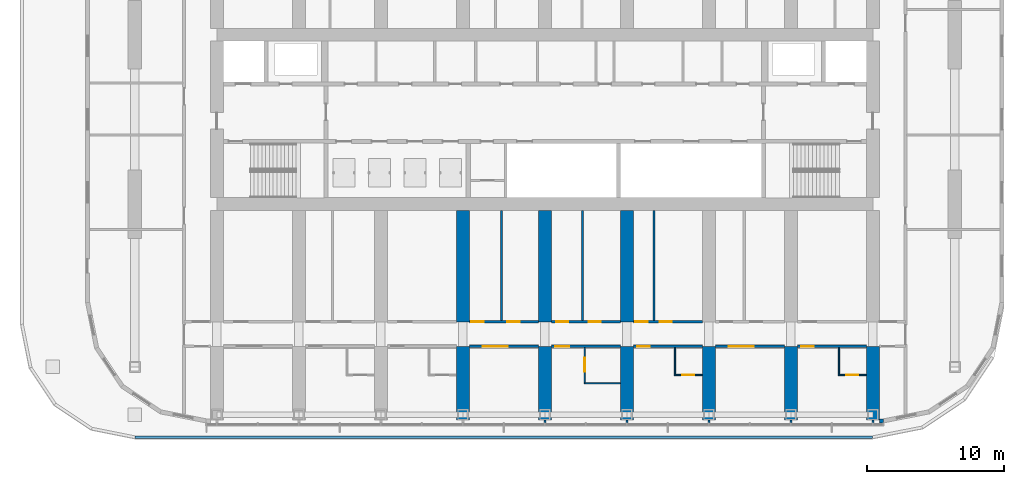
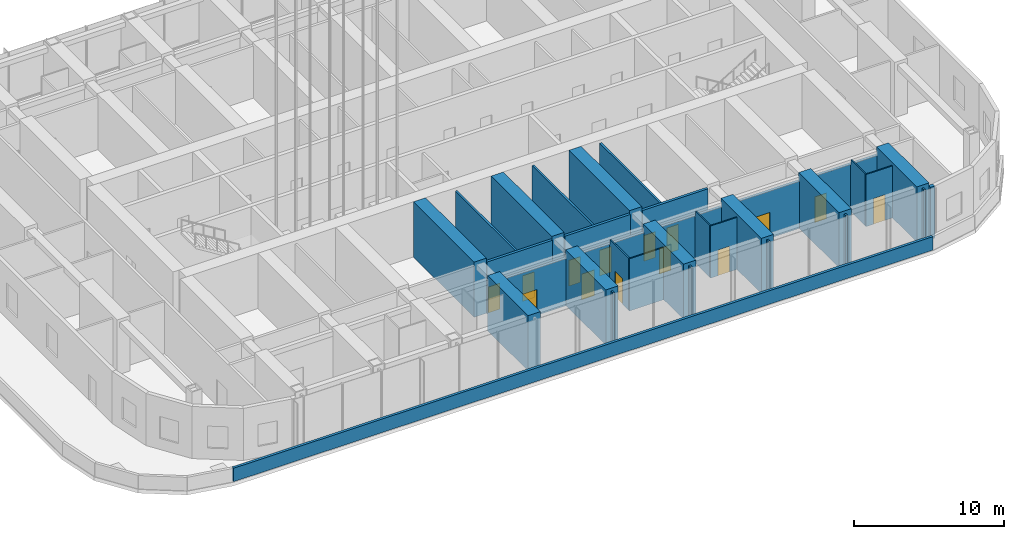
# One storey, part 12 of 32: 33 walls, 14 doors, 14 openings.
"""IFC4 building model written with IfcOpenShell, lengths in metres."""

from ifc_helpers import new_model, si_unit, direction, frame, frame_2d, origin, place, context, subcontext, project, spatial, polyline, rectangle, outline, extrude, material, layer, layer_set, type_object, element, fill, save


model = new_model("IFC4")

# Units and contexts
model_context = context("Model", 3, precision=1e-05, world=origin(), true_north=direction((0.0, 1.0)))
body_context = subcontext(model_context, "Body", "Model", "MODEL_VIEW")
ifc_project = project(units=[si_unit("LENGTHUNIT", "METRE"), si_unit("AREAUNIT", "SQUARE_METRE"), si_unit("VOLUMEUNIT", "CUBIC_METRE"), si_unit("PLANEANGLEUNIT", "RADIAN"), si_unit("MASSUNIT", "GRAM", prefix="KILO")], contexts=[model_context])

# Site, building, storey
site_placement = place(None, origin())
site = spatial("IfcSite", under=ifc_project, at=site_placement, CompositionType="ELEMENT")
building_placement = place(site_placement, origin())
building = spatial("IfcBuilding", under=site, at=building_placement, Name="Orbita Commons", CompositionType="ELEMENT")
storey_placement = place(building_placement, frame((0.0, 0.0, 140.35009765625)))
storey = spatial("IfcBuildingStorey", under=building, at=storey_placement, Name="L34", CompositionType="ELEMENT", Elevation=140.35009765625)

# Wall, opening, door
ifc_material_1 = material(Name="Concrete blockwork", Category="masonry")
ifc_layer_1 = layer(ifc_material_1, 0.199951171875)
ifc_layer_set_1 = layer_set([ifc_layer_1], Name="Concrete blockwork")
wall_type_1 = type_object("IfcWallType", Name="Corridor wall 200 blockwork", PredefinedType="SOLIDWALL", material=ifc_layer_set_1)
wall_1_placement = place(storey_placement, frame((36.47509765625, 15.39990234375, 0.0), z_axis=(0.0, 0.0, 1.0), x_axis=(1.0, 0.0, 0.0)))
wall_1 = element("IfcWall", 1, at=wall_1_placement, inside=storey, type_object=wall_type_1, Name="Corridor wall 200 blockwork L34", PredefinedType="SOLIDWALL", context=body_context, shape_type="SweptSolid", body=[
    extrude(outline(polyline([(0.0, 0.0), (5.0498046875, 0.0), (5.050048828125, 3.849853515625), (0.0, 3.849853515625), (0.0, 0.0)])), frame((0.0, 0.10009765625, 0.0), z_axis=(0.0, -1.0, 0.0), x_axis=(1.0, 0.0, 0.0)), (0.0, 0.0, 1.0), 0.199951171875),
])
opening_1_placement = place(wall_1_placement, frame((1.0, 0.0, 0.0)))
opening_1 = element("IfcOpeningElement", 2, at=opening_1_placement, cuts=wall_1, Name="Opening D07", PredefinedType="OPENING", context=body_context, shape_type="SweptSolid", body=[
    extrude(rectangle(XDim=1.800048828125, YDim=2.10009765625, at=frame_2d((0.89990234375, 1.050048828125))), frame((0.0, 0.10986328125, 0.0), z_axis=(0.0, -1.0, 0.0), x_axis=(1.0, 0.0, 0.0)), (0.0, 0.0, 1.0), 0.219970703125),
])
ifc_material_2 = material(Name="Steel-faced fire door leaf", Category="steel")
door_type_1 = type_object("IfcDoorType", Name="Double corridor door 20 min 1800x2100", OperationType="DOUBLE_DOOR_SINGLE_SWING", PredefinedType="DOOR", material=ifc_material_2)
door_1_placement = place(opening_1_placement, origin())
door_1 = element("IfcDoor", 3, at=door_1_placement, inside=storey, type_object=door_type_1, Name="Exhibition room L34-SF4 doors", OperationType="DOUBLE_DOOR_SINGLE_SWING", OverallHeight=2.10009765625, OverallWidth=1.800048828125, PredefinedType="DOOR", context=body_context, shape_type="SweptSolid", body=[
    extrude(rectangle(XDim=1.800048828125, YDim=2.10009765625, at=frame_2d((0.89990234375, 1.050048828125))), frame((0.0, 0.02490234375, 0.0), z_axis=(0.0, -1.0, 0.0), x_axis=(1.0, 0.0, 0.0)), (0.0, 0.0, 1.0), 0.050048828125),
])
fill(opening_1, door_1)

wall_2_placement = place(storey_placement, frame((42.47509765625, 15.39990234375, 0.0), z_axis=(0.0, 0.0, 1.0), x_axis=(1.0, 0.0, 0.0)))
wall_2 = element("IfcWall", 4, at=wall_2_placement, inside=storey, type_object=wall_type_1, Name="Corridor wall 200 blockwork L34", PredefinedType="SOLIDWALL", context=body_context, shape_type="SweptSolid", body=[
    extrude(outline(polyline([(0.0, 0.0), (5.0498046875, 0.0), (5.050048828125, 3.849853515625), (0.0, 3.849853515625), (0.0, 0.0)])), frame((0.0, 0.10009765625, 0.0), z_axis=(0.0, -1.0, 0.0), x_axis=(1.0, 0.0, 0.0)), (0.0, 0.0, 1.0), 0.199951171875),
])
opening_2_placement = place(wall_2_placement, frame((0.300048828125, 0.0, 0.0)))
opening_2 = element("IfcOpeningElement", 5, at=opening_2_placement, cuts=wall_2, Name="Opening D06", PredefinedType="OPENING", context=body_context, shape_type="SweptSolid", body=[
    extrude(rectangle(XDim=1.0, YDim=2.10009765625, at=frame_2d((0.5, 1.050048828125))), frame((0.0, 0.10986328125, 0.0), z_axis=(0.0, -1.0, 0.0), x_axis=(1.0, 0.0, 0.0)), (0.0, 0.0, 1.0), 0.219970703125),
])
ifc_material_3 = material(Name="Steel-faced fire door leaf", Category="steel")
door_type_2 = type_object("IfcDoorType", Name="Corridor door 20 min 1000x2100", OperationType="SINGLE_SWING_LEFT", PredefinedType="DOOR", material=ifc_material_3)
door_2_placement = place(opening_2_placement, origin())
door_2 = element("IfcDoor", 6, at=door_2_placement, inside=storey, type_object=door_type_2, Name="Accessible bedroom L34-SF5 door", OperationType="SINGLE_SWING_LEFT", OverallHeight=2.10009765625, OverallWidth=1.0, PredefinedType="DOOR", context=body_context, shape_type="SweptSolid", body=[
    extrude(rectangle(XDim=1.0, YDim=2.10009765625, at=frame_2d((0.5, 1.050048828125))), frame((0.0, 0.02490234375, 0.0), z_axis=(0.0, -1.0, 0.0), x_axis=(1.0, 0.0, 0.0)), (0.0, 0.0, 1.0), 0.050048828125),
])
fill(opening_2, door_2)

wall_3_placement = place(storey_placement, frame((48.47509765625, 15.39990234375, 0.0), z_axis=(0.0, 0.0, 1.0), x_axis=(1.0, 0.0, 0.0)))
wall_3 = element("IfcWall", 7, at=wall_3_placement, inside=storey, type_object=wall_type_1, Name="Corridor wall 200 blockwork L34", PredefinedType="SOLIDWALL", context=body_context, shape_type="SweptSolid", body=[
    extrude(outline(polyline([(0.0, 0.0), (5.0498046875, 0.0), (5.050048828125, 3.849853515625), (0.0, 3.849853515625), (0.0, 0.0)])), frame((0.0, 0.10009765625, 0.0), z_axis=(0.0, -1.0, 0.0), x_axis=(1.0, 0.0, 0.0)), (0.0, 0.0, 1.0), 0.199951171875),
])
opening_3_placement = place(wall_3_placement, frame((0.300048828125, 0.0, 0.0)))
opening_3 = element("IfcOpeningElement", 8, at=opening_3_placement, cuts=wall_3, Name="Opening D11", PredefinedType="OPENING", context=body_context, shape_type="SweptSolid", body=[
    extrude(rectangle(XDim=0.89990234375, YDim=2.10009765625, at=frame_2d((0.449951171875, 1.050048828125))), frame((0.0, 0.10986328125, 0.0), z_axis=(0.0, -1.0, 0.0), x_axis=(1.0, 0.0, 0.0)), (0.0, 0.0, 1.0), 0.219970703125),
])
ifc_material_4 = material(Name="Steel-faced fire door leaf", Category="steel")
door_type_3 = type_object("IfcDoorType", Name="Corridor door 20 min 900x2100", OperationType="SINGLE_SWING_LEFT", PredefinedType="DOOR", material=ifc_material_4)
door_3_placement = place(opening_3_placement, origin())
door_3 = element("IfcDoor", 9, at=door_3_placement, inside=storey, type_object=door_type_3, Name="Guest studio with kitchenette L34-SF6 door", OperationType="SINGLE_SWING_LEFT", OverallHeight=2.10009765625, OverallWidth=0.89990234375, PredefinedType="DOOR", context=body_context, shape_type="SweptSolid", body=[
    extrude(rectangle(XDim=0.89990234375, YDim=2.10009765625, at=frame_2d((0.449951171875, 1.050048828125))), frame((0.0, 0.02490234375, 0.0), z_axis=(0.0, -1.0, 0.0), x_axis=(1.0, 0.0, 0.0)), (0.0, 0.0, 1.0), 0.050048828125),
])
fill(opening_3, door_3)

wall_4_placement = place(storey_placement, frame((54.47509765625, 15.39990234375, 0.0), z_axis=(0.0, 0.0, 1.0), x_axis=(1.0, 0.0, 0.0)))
wall_4 = element("IfcWall", 10, at=wall_4_placement, inside=storey, type_object=wall_type_1, Name="Corridor wall 200 blockwork L34", PredefinedType="SOLIDWALL", context=body_context, shape_type="SweptSolid", body=[
    extrude(outline(polyline([(0.0, 0.0), (5.0498046875, 0.0), (5.050048828125, 3.849853515625), (0.0, 3.849853515625), (0.0, 0.0)])), frame((0.0, 0.10009765625, 0.0), z_axis=(0.0, -1.0, 0.0), x_axis=(1.0, 0.0, 0.0)), (0.0, 0.0, 1.0), 0.199951171875),
])
opening_4_placement = place(wall_4_placement, frame((1.0, 0.0, 0.0)))
opening_4 = element("IfcOpeningElement", 11, at=opening_4_placement, cuts=wall_4, Name="Opening D07", PredefinedType="OPENING", context=body_context, shape_type="SweptSolid", body=[
    extrude(rectangle(XDim=1.800048828125, YDim=2.10009765625, at=frame_2d((0.89990234375, 1.050048828125))), frame((0.0, 0.10986328125, 0.0), z_axis=(0.0, -1.0, 0.0), x_axis=(1.0, 0.0, 0.0)), (0.0, 0.0, 1.0), 0.219970703125),
])
door_4_placement = place(opening_4_placement, origin())
door_4 = element("IfcDoor", 12, at=door_4_placement, inside=storey, type_object=door_type_1, Name="Quiet study hall L34-SF7 doors", OperationType="DOUBLE_DOOR_SINGLE_SWING", OverallHeight=2.10009765625, OverallWidth=1.800048828125, PredefinedType="DOOR", context=body_context, shape_type="SweptSolid", body=[
    extrude(rectangle(XDim=1.800048828125, YDim=2.10009765625, at=frame_2d((0.89990234375, 1.050048828125))), frame((0.0, 0.02490234375, 0.0), z_axis=(0.0, -1.0, 0.0), x_axis=(1.0, 0.0, 0.0)), (0.0, 0.0, 1.0), 0.050048828125),
])
fill(opening_4, door_4)

wall_5_placement = place(storey_placement, frame((60.47509765625, 15.39990234375, 0.0), z_axis=(0.0, 0.0, 1.0), x_axis=(1.0, 0.0, 0.0)))
wall_5 = element("IfcWall", 13, at=wall_5_placement, inside=storey, type_object=wall_type_1, Name="Corridor wall 200 blockwork L34", PredefinedType="SOLIDWALL", context=body_context, shape_type="SweptSolid", body=[
    extrude(outline(polyline([(0.0, 0.0), (5.0498046875, 0.0), (5.050048828125, 3.849853515625), (0.0, 3.849853515625), (0.0, 0.0)])), frame((0.0, 0.10009765625, 0.0), z_axis=(0.0, -1.0, 0.0), x_axis=(1.0, 0.0, 0.0)), (0.0, 0.0, 1.0), 0.199951171875),
])
opening_5_placement = place(wall_5_placement, frame((0.300048828125, 0.0, 0.0)))
opening_5 = element("IfcOpeningElement", 14, at=opening_5_placement, cuts=wall_5, Name="Opening D11", PredefinedType="OPENING", context=body_context, shape_type="SweptSolid", body=[
    extrude(rectangle(XDim=0.89990234375, YDim=2.10009765625, at=frame_2d((0.449951171875, 1.050048828125))), frame((0.0, 0.10986328125, 0.0), z_axis=(0.0, -1.0, 0.0), x_axis=(1.0, 0.0, 0.0)), (0.0, 0.0, 1.0), 0.219970703125),
])
door_5_placement = place(opening_5_placement, origin())
door_5 = element("IfcDoor", 15, at=door_5_placement, inside=storey, type_object=door_type_3, Name="Guest studio with kitchenette L34-SF8 door", OperationType="SINGLE_SWING_LEFT", OverallHeight=2.10009765625, OverallWidth=0.89990234375, PredefinedType="DOOR", context=body_context, shape_type="SweptSolid", body=[
    extrude(rectangle(XDim=0.89990234375, YDim=2.10009765625, at=frame_2d((0.449951171875, 1.050048828125))), frame((0.0, 0.02490234375, 0.0), z_axis=(0.0, -1.0, 0.0), x_axis=(1.0, 0.0, 0.0)), (0.0, 0.0, 1.0), 0.050048828125),
])
fill(opening_5, door_5)

# Wall, openings, doors
ifc_material_5 = material(Name="Hollow concrete block 200", Category="concrete")
ifc_layer_2 = layer(ifc_material_5, 0.199951171875)
ifc_layer_set_2 = layer_set([ifc_layer_2], Name="Hollow concrete block 200")
wall_type_2 = type_object("IfcWallType", Name="Corridor wall 200 hollow concrete block", PredefinedType="SOLIDWALL", material=ifc_layer_set_2)
wall_6_placement = place(storey_placement, frame((36.47509765625, 17.199951171875, 0.0), z_axis=(0.0, 0.0, 1.0), x_axis=(1.0, 0.0, 0.0)))
wall_6 = element("IfcWall", 16, at=wall_6_placement, inside=storey, type_object=wall_type_2, Name="Corridor wall 200 hollow concrete block L34", PredefinedType="SOLIDWALL", context=body_context, shape_type="SweptSolid", body=[
    extrude(rectangle(XDim=5.0498046875, YDim=0.199951171875, at=frame_2d((2.52490234375, 0.0))), origin(), (0.0, 0.0, 1.0), 4.25),
])
opening_6_placement = place(wall_6_placement, frame((0.14990234375, 0.0, 0.0)))
opening_6 = element("IfcOpeningElement", 17, at=opening_6_placement, cuts=wall_6, Name="Opening D11", PredefinedType="OPENING", context=body_context, shape_type="SweptSolid", body=[
    extrude(rectangle(XDim=0.89990234375, YDim=2.10009765625, at=frame_2d((0.449951171875, 1.050048828125))), frame((0.0, 0.10986328125, 0.0), z_axis=(0.0, -1.0, 0.0), x_axis=(1.0, 0.0, 0.0)), (0.0, 0.0, 1.0), 0.219970703125),
])
opening_7_placement = place(wall_6_placement, frame((2.784912109375, 0.0, 0.0)))
opening_7 = element("IfcOpeningElement", 18, at=opening_7_placement, cuts=wall_6, Name="Opening D11", PredefinedType="OPENING", context=body_context, shape_type="SweptSolid", body=[
    extrude(rectangle(XDim=0.89990234375, YDim=2.10009765625, at=frame_2d((0.449951171875, 1.050048828125))), frame((0.0, 0.10986328125, 0.0), z_axis=(0.0, -1.0, 0.0), x_axis=(1.0, 0.0, 0.0)), (0.0, 0.0, 1.0), 0.219970703125),
])
door_6_placement = place(opening_6_placement, origin())
door_6 = element("IfcDoor", 19, at=door_6_placement, inside=storey, type_object=door_type_3, Name="Group meeting room L34-BDS36 door", OperationType="SINGLE_SWING_LEFT", OverallHeight=2.10009765625, OverallWidth=0.89990234375, PredefinedType="DOOR", context=body_context, shape_type="SweptSolid", body=[
    extrude(rectangle(XDim=0.89990234375, YDim=2.10009765625, at=frame_2d((0.449951171875, 1.050048828125))), frame((0.0, 0.02490234375, 0.0), z_axis=(0.0, -1.0, 0.0), x_axis=(1.0, 0.0, 0.0)), (0.0, 0.0, 1.0), 0.050048828125),
])
fill(opening_6, door_6)
door_7_placement = place(opening_7_placement, origin())
door_7 = element("IfcDoor", 20, at=door_7_placement, inside=storey, type_object=door_type_3, Name="Sprinkler valve room L34-BDS36n door", OperationType="SINGLE_SWING_LEFT", OverallHeight=2.10009765625, OverallWidth=0.89990234375, PredefinedType="DOOR", context=body_context, shape_type="SweptSolid", body=[
    extrude(rectangle(XDim=0.89990234375, YDim=2.10009765625, at=frame_2d((0.449951171875, 1.050048828125))), frame((0.0, 0.02490234375, 0.0), z_axis=(0.0, -1.0, 0.0), x_axis=(1.0, 0.0, 0.0)), (0.0, 0.0, 1.0), 0.050048828125),
])
fill(opening_7, door_7)

wall_7_placement = place(storey_placement, frame((42.47509765625, 17.199951171875, 0.0), z_axis=(0.0, 0.0, 1.0), x_axis=(1.0, 0.0, 0.0)))
wall_7 = element("IfcWall", 21, at=wall_7_placement, inside=storey, type_object=wall_type_2, Name="Corridor wall 200 hollow concrete block L34", PredefinedType="SOLIDWALL", context=body_context, shape_type="SweptSolid", body=[
    extrude(rectangle(XDim=5.0498046875, YDim=0.199951171875, at=frame_2d((2.52490234375, 0.0))), origin(), (0.0, 0.0, 1.0), 4.25),
])
opening_8_placement = place(wall_7_placement, frame((0.35009765625, 0.0, 0.0)))
opening_8 = element("IfcOpeningElement", 22, at=opening_8_placement, cuts=wall_7, Name="Opening D11", PredefinedType="OPENING", context=body_context, shape_type="SweptSolid", body=[
    extrude(rectangle(XDim=0.89990234375, YDim=2.10009765625, at=frame_2d((0.449951171875, 1.050048828125))), frame((0.0, 0.10986328125, 0.0), z_axis=(0.0, -1.0, 0.0), x_axis=(1.0, 0.0, 0.0)), (0.0, 0.0, 1.0), 0.219970703125),
])
opening_9_placement = place(wall_7_placement, frame((2.72509765625, 0.0, 0.0)))
opening_9 = element("IfcOpeningElement", 23, at=opening_9_placement, cuts=wall_7, Name="Opening D11", PredefinedType="OPENING", context=body_context, shape_type="SweptSolid", body=[
    extrude(rectangle(XDim=0.89990234375, YDim=2.10009765625, at=frame_2d((0.449951171875, 1.050048828125))), frame((0.0, 0.10986328125, 0.0), z_axis=(0.0, -1.0, 0.0), x_axis=(1.0, 0.0, 0.0)), (0.0, 0.0, 1.0), 0.219970703125),
])
door_8_placement = place(opening_8_placement, origin())
door_8 = element("IfcDoor", 24, at=door_8_placement, inside=storey, type_object=door_type_3, Name="Recording room L34-BDS42 door", OperationType="SINGLE_SWING_LEFT", OverallHeight=2.10009765625, OverallWidth=0.89990234375, PredefinedType="DOOR", context=body_context, shape_type="SweptSolid", body=[
    extrude(rectangle(XDim=0.89990234375, YDim=2.10009765625, at=frame_2d((0.449951171875, 1.050048828125))), frame((0.0, 0.02490234375, 0.0), z_axis=(0.0, -1.0, 0.0), x_axis=(1.0, 0.0, 0.0)), (0.0, 0.0, 1.0), 0.050048828125),
])
fill(opening_8, door_8)
door_9_placement = place(opening_9_placement, origin())
door_9 = element("IfcDoor", 25, at=door_9_placement, inside=storey, type_object=door_type_3, Name="Linen cupboard L34-BDS42n door", OperationType="SINGLE_SWING_LEFT", OverallHeight=2.10009765625, OverallWidth=0.89990234375, PredefinedType="DOOR", context=body_context, shape_type="SweptSolid", body=[
    extrude(rectangle(XDim=0.89990234375, YDim=2.10009765625, at=frame_2d((0.449951171875, 1.050048828125))), frame((0.0, 0.02490234375, 0.0), z_axis=(0.0, -1.0, 0.0), x_axis=(1.0, 0.0, 0.0)), (0.0, 0.0, 1.0), 0.050048828125),
])
fill(opening_9, door_9)

wall_8_placement = place(storey_placement, frame((48.47509765625, 17.199951171875, 0.0), z_axis=(0.0, 0.0, 1.0), x_axis=(1.0, 0.0, 0.0)))
wall_8 = element("IfcWall", 26, at=wall_8_placement, inside=storey, type_object=wall_type_2, Name="Corridor wall 200 hollow concrete block L34", PredefinedType="SOLIDWALL", context=body_context, shape_type="SweptSolid", body=[
    extrude(rectangle(XDim=5.0498046875, YDim=0.199951171875, at=frame_2d((2.52490234375, 0.0))), origin(), (0.0, 0.0, 1.0), 4.25),
])
opening_10_placement = place(wall_8_placement, frame((0.14990234375, 0.0, 0.0)))
opening_10 = element("IfcOpeningElement", 27, at=opening_10_placement, cuts=wall_8, Name="Opening D11", PredefinedType="OPENING", context=body_context, shape_type="SweptSolid", body=[
    extrude(rectangle(XDim=0.89990234375, YDim=2.10009765625, at=frame_2d((0.449951171875, 1.050048828125))), frame((0.0, 0.10986328125, 0.0), z_axis=(0.0, -1.0, 0.0), x_axis=(1.0, 0.0, 0.0)), (0.0, 0.0, 1.0), 0.219970703125),
])
opening_11_placement = place(wall_8_placement, frame((1.925048828125, 0.0, 0.0)))
opening_11 = element("IfcOpeningElement", 28, at=opening_11_placement, cuts=wall_8, Name="Opening D11", PredefinedType="OPENING", context=body_context, shape_type="SweptSolid", body=[
    extrude(rectangle(XDim=0.89990234375, YDim=2.10009765625, at=frame_2d((0.449951171875, 1.050048828125))), frame((0.0, 0.10986328125, 0.0), z_axis=(0.0, -1.0, 0.0), x_axis=(1.0, 0.0, 0.0)), (0.0, 0.0, 1.0), 0.219970703125),
])
door_10_placement = place(opening_10_placement, origin())
door_10 = element("IfcDoor", 29, at=door_10_placement, inside=storey, type_object=door_type_3, Name="Water heater cupboard L34-BDS48n door", OperationType="SINGLE_SWING_LEFT", OverallHeight=2.10009765625, OverallWidth=0.89990234375, PredefinedType="DOOR", context=body_context, shape_type="SweptSolid", body=[
    extrude(rectangle(XDim=0.89990234375, YDim=2.10009765625, at=frame_2d((0.449951171875, 1.050048828125))), frame((0.0, 0.02490234375, 0.0), z_axis=(0.0, -1.0, 0.0), x_axis=(1.0, 0.0, 0.0)), (0.0, 0.0, 1.0), 0.050048828125),
])
fill(opening_10, door_10)
door_11_placement = place(opening_11_placement, origin())
door_11 = element("IfcDoor", 30, at=door_11_placement, inside=storey, type_object=door_type_3, Name="Mail room L34-BDS48 door", OperationType="SINGLE_SWING_LEFT", OverallHeight=2.10009765625, OverallWidth=0.89990234375, PredefinedType="DOOR", context=body_context, shape_type="SweptSolid", body=[
    extrude(rectangle(XDim=0.89990234375, YDim=2.10009765625, at=frame_2d((0.449951171875, 1.050048828125))), frame((0.0, 0.02490234375, 0.0), z_axis=(0.0, -1.0, 0.0), x_axis=(1.0, 0.0, 0.0)), (0.0, 0.0, 1.0), 0.050048828125),
])
fill(opening_11, door_11)

# Walls
ifc_material_6 = material(Name="Concrete C50/60", Category="concrete")
ifc_layer_3 = layer(ifc_material_6, 0.949951171875)
ifc_layer_set_3 = layer_set([ifc_layer_3], Name="Concrete C50/60")
wall_type_3 = type_object("IfcWallType", Name="Cross wall 950 C50/60", PredefinedType="SHEAR", material=ifc_layer_set_3)
wall_9_placement = place(storey_placement, frame((36.0, 10.0, 0.0), z_axis=(0.0, 0.0, 1.0), x_axis=(0.0, 1.0, 0.0)))
element("IfcWall", 31, at=wall_9_placement, inside=storey, type_object=wall_type_3, Name="Cross wall 7 south outer L34", PredefinedType="SHEAR", context=body_context, shape_type="SweptSolid", body=[
    extrude(rectangle(XDim=5.39990234375, YDim=0.949951171875, at=frame_2d((2.699951171875, 0.0))), origin(), (0.0, 0.0, 1.0), 4.5),
])
wall_10_placement = place(storey_placement, frame((36.0, 17.199951171875, 0.0), z_axis=(0.0, 0.0, 1.0), x_axis=(0.0, 1.0, 0.0)))
element("IfcWall", 32, at=wall_10_placement, inside=storey, type_object=wall_type_3, Name="Cross wall 7 south inner L34", PredefinedType="SHEAR", context=body_context, shape_type="SweptSolid", body=[
    extrude(rectangle(XDim=8.125, YDim=0.949951171875, at=frame_2d((4.0625, 0.0))), origin(), (0.0, 0.0, 1.0), 4.5),
])
wall_11_placement = place(storey_placement, frame((42.0, 10.0, 0.0), z_axis=(0.0, 0.0, 1.0), x_axis=(0.0, 1.0, 0.0)))
element("IfcWall", 33, at=wall_11_placement, inside=storey, type_object=wall_type_3, Name="Cross wall 8 south outer L34", PredefinedType="SHEAR", context=body_context, shape_type="SweptSolid", body=[
    extrude(rectangle(XDim=5.39990234375, YDim=0.949951171875, at=frame_2d((2.699951171875, 0.0))), origin(), (0.0, 0.0, 1.0), 4.5),
])
wall_12_placement = place(storey_placement, frame((42.0, 17.199951171875, 0.0), z_axis=(0.0, 0.0, 1.0), x_axis=(0.0, 1.0, 0.0)))
element("IfcWall", 34, at=wall_12_placement, inside=storey, type_object=wall_type_3, Name="Cross wall 8 south inner L34", PredefinedType="SHEAR", context=body_context, shape_type="SweptSolid", body=[
    extrude(rectangle(XDim=8.125, YDim=0.949951171875, at=frame_2d((4.0625, 0.0))), origin(), (0.0, 0.0, 1.0), 4.5),
])
wall_13_placement = place(storey_placement, frame((48.0, 10.0, 0.0), z_axis=(0.0, 0.0, 1.0), x_axis=(0.0, 1.0, 0.0)))
element("IfcWall", 35, at=wall_13_placement, inside=storey, type_object=wall_type_3, Name="Cross wall 9 south outer L34", PredefinedType="SHEAR", context=body_context, shape_type="SweptSolid", body=[
    extrude(rectangle(XDim=5.39990234375, YDim=0.949951171875, at=frame_2d((2.699951171875, 0.0))), origin(), (0.0, 0.0, 1.0), 4.5),
])
wall_14_placement = place(storey_placement, frame((48.0, 17.199951171875, 0.0), z_axis=(0.0, 0.0, 1.0), x_axis=(0.0, 1.0, 0.0)))
element("IfcWall", 36, at=wall_14_placement, inside=storey, type_object=wall_type_3, Name="Cross wall 9 south inner L34", PredefinedType="SHEAR", context=body_context, shape_type="SweptSolid", body=[
    extrude(rectangle(XDim=8.125, YDim=0.949951171875, at=frame_2d((4.0625, 0.0))), origin(), (0.0, 0.0, 1.0), 4.5),
])
for number, where, z_axis, x_axis, name in (
    (37, (54.0, 10.0, 0.0), (0.0, 0.0, 1.0), (0.0, 1.0, 0.0), "Cross wall 10 south outer L34"),
    (38, (60.0, 10.0, 0.0), (0.0, 0.0, 1.0), (0.0, 1.0, 0.0), "Cross wall 11 south outer L34"),
    (39, (66.0, 10.0, 0.0), (0.0, 0.0, 1.0), (0.0, 1.0, 0.0), "Cross wall 12 south outer L34"),
):
    element("IfcWall", number, at=place(storey_placement, frame(where, z_axis=z_axis, x_axis=x_axis)), inside=storey, type_object=wall_type_3, Name=name, PredefinedType="SHEAR", context=body_context, shape_type="SweptSolid", body=[
        extrude(rectangle(XDim=5.39990234375, YDim=0.949951171875, at=frame_2d((2.699951171875, 0.0))), origin(), (0.0, 0.0, 1.0), 4.5),
    ])
ifc_material_7 = material(Name="Moisture-resistant plasterboard on steel studs", Category="steel")
ifc_layer_4 = layer(ifc_material_7, 0.10009765625)
ifc_layer_set_4 = layer_set([ifc_layer_4], Name="Moisture-resistant plasterboard on steel studs")
wall_type_4 = type_object("IfcWallType", Name="En-suite partition 100", PredefinedType="PARTITIONING", material=ifc_layer_set_4)
wall_15_placement = place(storey_placement, frame((44.875, 12.699951171875, 0.0), z_axis=(0.0, 0.0, 1.0), x_axis=(1.0, 0.0, 0.0)))
element("IfcWall", 40, at=wall_15_placement, inside=storey, type_object=wall_type_4, Name="En-suite partition 100 L34", PredefinedType="PARTITIONING", context=body_context, shape_type="SweptSolid", body=[
    extrude(rectangle(XDim=2.64990234375, YDim=0.10009765625, at=frame_2d((1.324951171875, 0.0))), origin(), (0.0, 0.0, 1.0), 4.25),
])

# Wall, opening, door
wall_16_placement = place(storey_placement, frame((44.925048828125, 12.75, 0.0), z_axis=(0.0, 0.0, 1.0), x_axis=(0.0, 1.0, 0.0)))
wall_16 = element("IfcWall", 41, at=wall_16_placement, inside=storey, type_object=wall_type_4, Name="En-suite partition 100 L34", PredefinedType="PARTITIONING", context=body_context, shape_type="SweptSolid", body=[
    extrude(outline(polyline([(0.0, 0.0), (2.550048828125, 0.0), (2.550048828125, 3.849853515625), (2.501953125, 3.849853515625), (2.5, 4.25), (0.0, 4.25), (0.0, 0.0)])), frame((0.0, 0.050048828125, 0.0), z_axis=(0.0, -1.0, 0.0), x_axis=(1.0, 0.0, 0.0)), (0.0, 0.0, 1.0), 0.10009765625),
])
opening_12_placement = place(wall_16_placement, frame((0.800048828125, 0.0, 0.0)))
opening_12 = element("IfcOpeningElement", 42, at=opening_12_placement, cuts=wall_16, Name="Opening D13", PredefinedType="OPENING", context=body_context, shape_type="SweptSolid", body=[
    extrude(rectangle(XDim=1.0, YDim=2.10009765625, at=frame_2d((0.5, 1.050048828125))), frame((0.0, 0.06005859375, 0.0), z_axis=(0.0, -1.0, 0.0), x_axis=(1.0, 0.0, 0.0)), (0.0, 0.0, 1.0), 0.1201171875),
])
ifc_material_8 = material(Name="Laminated timber door leaf", Category="wood")
door_type_4 = type_object("IfcDoorType", Name="En-suite door 1000x2100", OperationType="SINGLE_SWING_RIGHT", PredefinedType="DOOR", material=ifc_material_8)
door_12_placement = place(opening_12_placement, origin())
door_12 = element("IfcDoor", 43, at=door_12_placement, inside=storey, type_object=door_type_4, Name="Accessible shower room L34-SF5 door", OperationType="SINGLE_SWING_RIGHT", OverallHeight=2.10009765625, OverallWidth=1.0, PredefinedType="DOOR", context=body_context, shape_type="SweptSolid", body=[
    extrude(rectangle(XDim=1.0, YDim=2.10009765625, at=frame_2d((0.5, 1.050048828125))), frame((0.0, 0.02490234375, 0.0), z_axis=(0.0, -1.0, 0.0), x_axis=(1.0, 0.0, 0.0)), (0.0, 0.0, 1.0), 0.050048828125),
])
fill(opening_12, door_12)

wall_17_placement = place(storey_placement, frame((53.52490234375, 13.300048828125, 0.0), z_axis=(0.0, 0.0, 1.0), x_axis=(-1.0, 0.0, 0.0)))
wall_17 = element("IfcWall", 44, at=wall_17_placement, inside=storey, type_object=wall_type_4, Name="En-suite partition 100 L34", PredefinedType="PARTITIONING", context=body_context, shape_type="SweptSolid", body=[
    extrude(rectangle(XDim=2.0498046875, YDim=0.10009765625, at=frame_2d((1.02490234375, 0.0))), origin(), (0.0, 0.0, 1.0), 4.25),
])
opening_13_placement = place(wall_17_placement, frame((0.574951171875, 0.0, 0.0)))
opening_13 = element("IfcOpeningElement", 45, at=opening_13_placement, cuts=wall_17, Name="Opening D09", PredefinedType="OPENING", context=body_context, shape_type="SweptSolid", body=[
    extrude(rectangle(XDim=0.89990234375, YDim=2.10009765625, at=frame_2d((0.449951171875, 1.050048828125))), frame((0.0, 0.06005859375, 0.0), z_axis=(0.0, -1.0, 0.0), x_axis=(1.0, 0.0, 0.0)), (0.0, 0.0, 1.0), 0.1201171875),
])
ifc_material_9 = material(Name="Laminated timber door leaf", Category="wood")
door_type_5 = type_object("IfcDoorType", Name="En-suite door 900x2100", OperationType="SINGLE_SWING_RIGHT", PredefinedType="DOOR", material=ifc_material_9)
door_13_placement = place(opening_13_placement, origin())
door_13 = element("IfcDoor", 46, at=door_13_placement, inside=storey, type_object=door_type_5, Name="En-suite L34-SF6 door", OperationType="SINGLE_SWING_RIGHT", OverallHeight=2.10009765625, OverallWidth=0.89990234375, PredefinedType="DOOR", context=body_context, shape_type="SweptSolid", body=[
    extrude(rectangle(XDim=0.89990234375, YDim=2.10009765625, at=frame_2d((0.449951171875, 1.050048828125))), frame((0.0, 0.02490234375, 0.0), z_axis=(0.0, -1.0, 0.0), x_axis=(1.0, 0.0, 0.0)), (0.0, 0.0, 1.0), 0.050048828125),
])
fill(opening_13, door_13)

# Wall
wall_18_placement = place(storey_placement, frame((51.52490234375, 13.35009765625, 0.0), z_axis=(0.0, 0.0, 1.0), x_axis=(0.0, 1.0, 0.0)))
element("IfcWall", 47, at=wall_18_placement, inside=storey, type_object=wall_type_4, Name="En-suite partition 100 L34", PredefinedType="PARTITIONING", context=body_context, shape_type="SweptSolid", body=[
    extrude(outline(polyline([(0.0, 0.0), (1.949951171875, 0.0), (1.949951171875, 3.849853515625), (1.902099609375, 3.849853515625), (1.89990234375, 4.25), (0.0, 4.25), (0.0, 0.0)])), frame((0.0, 0.050048828125, 0.0), z_axis=(0.0, -1.0, 0.0), x_axis=(1.0, 0.0, 0.0)), (0.0, 0.0, 1.0), 0.10009765625),
])

# Wall, opening, door
wall_19_placement = place(storey_placement, frame((65.52490234375, 13.300048828125, 0.0), z_axis=(0.0, 0.0, 1.0), x_axis=(-1.0, 0.0, 0.0)))
wall_19 = element("IfcWall", 48, at=wall_19_placement, inside=storey, type_object=wall_type_4, Name="En-suite partition 100 L34", PredefinedType="PARTITIONING", context=body_context, shape_type="SweptSolid", body=[
    extrude(rectangle(XDim=2.0498046875, YDim=0.10009765625, at=frame_2d((1.02490234375, 0.0))), origin(), (0.0, 0.0, 1.0), 4.25),
])
opening_14_placement = place(wall_19_placement, frame((0.574951171875, 0.0, 0.0)))
opening_14 = element("IfcOpeningElement", 49, at=opening_14_placement, cuts=wall_19, Name="Opening D09", PredefinedType="OPENING", context=body_context, shape_type="SweptSolid", body=[
    extrude(rectangle(XDim=0.89990234375, YDim=2.10009765625, at=frame_2d((0.449951171875, 1.050048828125))), frame((0.0, 0.06005859375, 0.0), z_axis=(0.0, -1.0, 0.0), x_axis=(1.0, 0.0, 0.0)), (0.0, 0.0, 1.0), 0.1201171875),
])
door_14_placement = place(opening_14_placement, origin())
door_14 = element("IfcDoor", 50, at=door_14_placement, inside=storey, type_object=door_type_5, Name="En-suite L34-SF8 door", OperationType="SINGLE_SWING_RIGHT", OverallHeight=2.10009765625, OverallWidth=0.89990234375, PredefinedType="DOOR", context=body_context, shape_type="SweptSolid", body=[
    extrude(rectangle(XDim=0.89990234375, YDim=2.10009765625, at=frame_2d((0.449951171875, 1.050048828125))), frame((0.0, 0.02490234375, 0.0), z_axis=(0.0, -1.0, 0.0), x_axis=(1.0, 0.0, 0.0)), (0.0, 0.0, 1.0), 0.050048828125),
])
fill(opening_14, door_14)

# Walls
wall_20_placement = place(storey_placement, frame((63.52490234375, 13.35009765625, 0.0), z_axis=(0.0, 0.0, 1.0), x_axis=(0.0, 1.0, 0.0)))
element("IfcWall", 51, at=wall_20_placement, inside=storey, type_object=wall_type_4, Name="En-suite partition 100 L34", PredefinedType="PARTITIONING", context=body_context, shape_type="SweptSolid", body=[
    extrude(outline(polyline([(0.0, 0.0), (1.949951171875, 0.0), (1.949951171875, 3.849853515625), (1.902099609375, 3.849853515625), (1.89990234375, 4.25), (0.0, 4.25), (0.0, 0.0)])), frame((0.0, 0.050048828125, 0.0), z_axis=(0.0, -1.0, 0.0), x_axis=(1.0, 0.0, 0.0)), (0.0, 0.0, 1.0), 0.10009765625),
])
ifc_material_10 = material(Name="Gypsum plasterboard on steel studs", Category="steel")
ifc_layer_5 = layer(ifc_material_10, 0.14990234375)
ifc_layer_set_5 = layer_set([ifc_layer_5], Name="Gypsum plasterboard on steel studs")
wall_type_5 = type_object("IfcWallType", Name="Partition 150 plasterboard", PredefinedType="PARTITIONING", material=ifc_layer_set_5)
for number, where, z_axis, x_axis, name in (
    (52, (38.8349609375, 17.300048828125, 0.0), (0.0, 0.0, 1.0), (0.0, 1.0, 0.0), "Partition 150 plasterboard L34"),
    (53, (44.77490234375, 17.300048828125, 0.0), (0.0, 0.0, 1.0), (0.0, 1.0, 0.0), "Partition 150 plasterboard L34"),
    (54, (49.97509765625, 17.300048828125, 0.0), (0.0, 0.0, 1.0), (0.0, 1.0, 0.0), "Partition 150 plasterboard L34"),
):
    element("IfcWall", number, at=place(storey_placement, frame(where, z_axis=z_axis, x_axis=x_axis)), inside=storey, type_object=wall_type_5, Name=name, PredefinedType="PARTITIONING", context=body_context, shape_type="SweptSolid", body=[
        extrude(rectangle(XDim=8.02490234375, YDim=0.14990234375, at=frame_2d((4.012451171875, 0.0))), origin(), (0.0, 0.0, 1.0), 4.25),
    ])
for number, where, z_axis, x_axis, name in (
    (55, (42.0, 10.0, 0.0), (0.0, 0.0, 1.0), (0.0, -1.0, 0.0), "Partition 150 plasterboard L34"),
    (56, (48.0, 10.0, 0.0), (0.0, 0.0, 1.0), (0.0, -1.0, 0.0), "Partition 150 plasterboard L34"),
    (57, (54.0, 10.0, 0.0), (0.0, 0.0, 1.0), (0.0, -1.0, 0.0), "Partition 150 plasterboard L34"),
    (58, (60.0, 10.0, 0.0), (0.0, 0.0, 1.0), (0.0, -1.0, 0.0), "Partition 150 plasterboard L34"),
    (59, (66.0, 10.0, 0.0), (0.0, 0.0, 1.0), (0.0, -1.0, 0.0), "Partition 150 plasterboard L34"),
):
    element("IfcWall", number, at=place(storey_placement, frame(where, z_axis=z_axis, x_axis=x_axis)), inside=storey, type_object=wall_type_5, Name=name, PredefinedType="PARTITIONING", context=body_context, shape_type="SweptSolid", body=[
        extrude(rectangle(XDim=0.18994140625, YDim=0.14990234375, at=frame_2d((0.094970703125, 0.0))), origin(), (0.0, 0.0, 1.0), 4.25),
    ])
ifc_material_11 = material(Name="Precast concrete C40/50, white board-marked finish", Category="concrete")
ifc_layer_6 = layer(ifc_material_11, 0.300048828125)
ifc_layer_set_6 = layer_set([ifc_layer_6], Name="Precast concrete C40/50, white board-marked finish")
wall_type_6 = type_object("IfcWallType", Name="Precast concrete end shield 300", PredefinedType="SOLIDWALL", material=ifc_layer_set_6)
wall_21_placement = place(storey_placement, frame((66.800048828125, 9.949951171875, 0.0), z_axis=(0.0, 0.0, 1.0), x_axis=(-1.0, 0.0, 0.0)))
element("IfcWall", 60, at=wall_21_placement, inside=storey, type_object=wall_type_6, Name="End shield SE closer L34", PredefinedType="SOLIDWALL", context=body_context, shape_type="SweptSolid", body=[
    extrude(rectangle(XDim=0.324951171875, YDim=0.300048828125, at=frame_2d((0.16259765625, 0.0))), origin(), (0.0, 0.0, 1.0), 4.25),
])
ifc_material_12 = material(Name="Precast concrete C40/50, white board-marked finish", Category="concrete")
ifc_layer_7 = layer(ifc_material_12, 0.199951171875)
ifc_layer_set_7 = layer_set([ifc_layer_7], Name="Precast concrete C40/50, white board-marked finish")
wall_type_7 = type_object("IfcWallType", Name="Precast parapet 200", PredefinedType="PARAPET", material=ifc_layer_set_7)
wall_22_placement = place(storey_placement, frame((65.985107421875, 8.75, 0.0), z_axis=(0.0, 0.0, 1.0), x_axis=(-1.0, 0.0, 0.0)))
element("IfcWall", 61, at=wall_22_placement, inside=storey, type_object=wall_type_7, Name="Parapet L34 1.4", PredefinedType="PARAPET", context=body_context, shape_type="SweptSolid", body=[
    extrude(rectangle(XDim=53.97021484375, YDim=0.199951171875, at=frame_2d((26.985107421875, 0.0))), origin(), (0.0, 0.0, 1.0), 1.099853515625),
])

save(model, "model.ifc")
